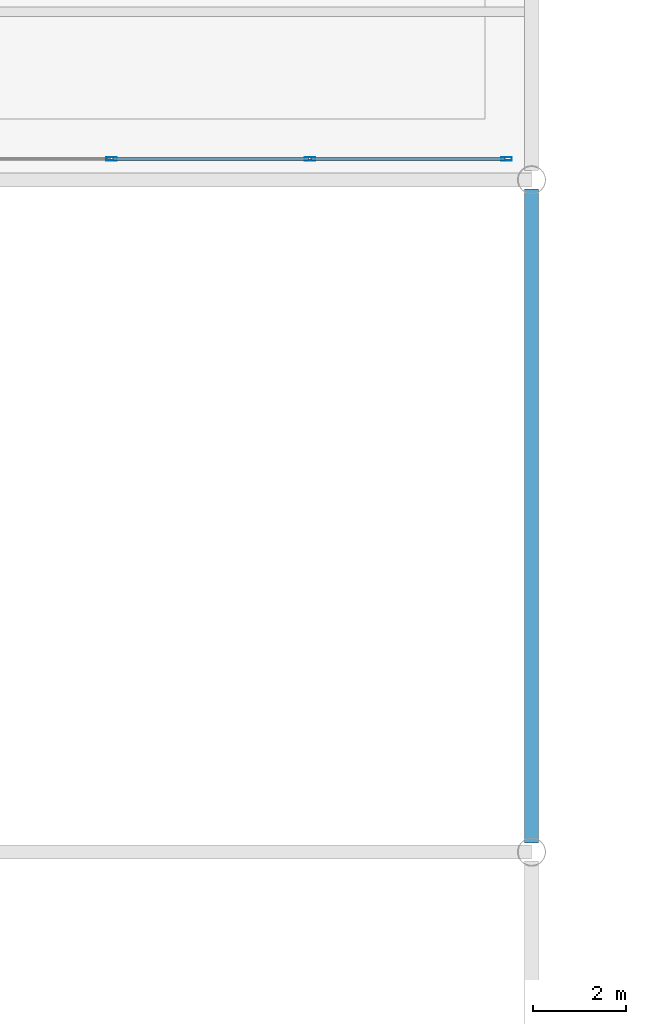
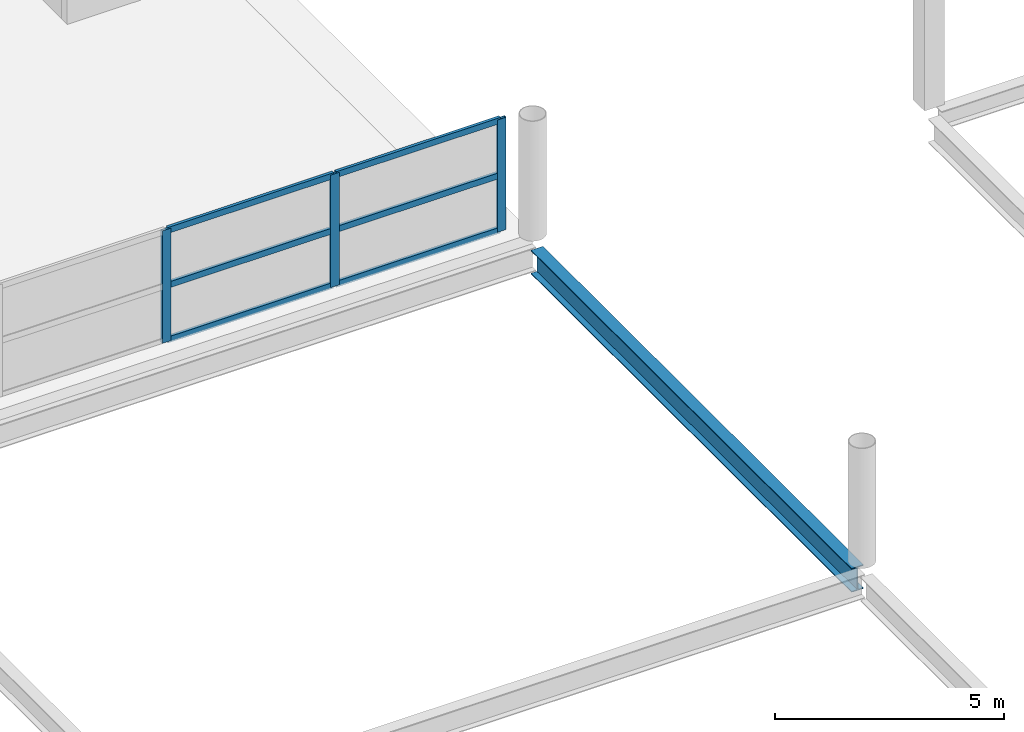
# One storey, part 68 of 134: 9 members, 1 beam, 1 element without a shape of its own.
"""IFC4 building model written with IfcOpenShell, lengths in metres."""

from ifc_helpers import new_model, si_unit, direction, frame, origin, origin_2d, place, context, subcontext, project, spatial, hollow_rectangle, i_section, extrude, material, layer, layer_set, material_profile, profile_set, type_object, element, aggregate, save


model = new_model("IFC4")

# Units and contexts
model_context = context("Model", 3, precision=1e-05, world=origin(), true_north=direction((0.0, 1.0)))
body_context = subcontext(model_context, "Body", "Model", "MODEL_VIEW")
ifc_project = project(units=[si_unit("LENGTHUNIT", "METRE"), si_unit("AREAUNIT", "SQUARE_METRE"), si_unit("VOLUMEUNIT", "CUBIC_METRE"), si_unit("PLANEANGLEUNIT", "RADIAN"), si_unit("MASSUNIT", "GRAM", prefix="KILO")], contexts=[model_context])

# Site, building, storey
site_placement = place(None, origin())
site = spatial("IfcSite", under=ifc_project, at=site_placement, CompositionType="ELEMENT")
building_placement = place(site_placement, origin())
building = spatial("IfcBuilding", under=site, at=building_placement, Name="Tamarisk Ironworks Central Station", CompositionType="ELEMENT")
storey_placement = place(building_placement, frame((0.0, 0.0, 12.60009765625)))
storey = spatial("IfcBuildingStorey", under=building, at=storey_placement, Name="L02", CompositionType="ELEMENT", Elevation=12.60009765625)

# Beam
ifc_material_1 = material(Name="Structural steel S355J2", Category="steel")
ifc_material_profile_1 = material_profile(ifc_material_1, i_section(OverallWidth=0.300048828125, OverallDepth=0.639892578125, WebThickness=0.013427734375, FlangeThickness=0.02587890625, at=origin_2d()), Name="HEA 650")
ifc_profile_set_1 = profile_set([ifc_material_profile_1], Name="Structural steel S355J2")
beam_type = type_object("IfcBeamType", Name="BM-G02", PredefinedType="BEAM", material=ifc_profile_set_1)
beam_placement = place(storey_placement, frame((108.0, 64.99609375, -0.60009765625), z_axis=(0.0, 1.0, 0.0), x_axis=(-1.0, 0.0, 0.0)))
element("IfcBeam", 1, at=beam_placement, inside=storey, type_object=beam_type, Name="L02 primary girder Y-0484", PredefinedType="BEAM", context=body_context, shape_type="SweptSolid", body=[
    extrude(i_section(OverallWidth=0.300048828125, OverallDepth=0.639892578125, WebThickness=0.013427734375, FlangeThickness=0.02587890625, at=origin_2d()), origin(), (0.0, 0.0, 1.0), 14.0078125),
])

# Curtain wall, members
ifc_material_2 = material(Name="Anodized aluminium alloy 6063-T6", Category="aluminium")
ifc_layer = layer(ifc_material_2, 0.179931640625)
ifc_layer_set = layer_set([ifc_layer], Name="Anodized aluminium alloy 6063-T6")
curtain_wall_type = type_object("IfcCurtainWallType", Name="CW-24", PredefinedType="USERDEFINED", material=ifc_layer_set)
curtain_wall_placement = place(storey_placement, origin())
curtain_wall = element("IfcCurtainWall", 2, at=curtain_wall_placement, inside=storey, type_object=curtain_wall_type, Name="Mezzanine south-east acoustic screen", ObjectType="GLAZED CURTAIN WALL", PredefinedType="USERDEFINED")
ifc_material_profile_2 = material_profile(ifc_material_2, hollow_rectangle(XDim=0.074951171875, YDim=0.219970703125, WallThickness=0.00390625, at=origin_2d()), Name="ALUM 220x75")
ifc_profile_set_2 = profile_set([ifc_material_profile_2], Name="Anodized aluminium alloy 6063-T6")
member_type_1 = type_object("IfcMemberType", Name="CWM-01", PredefinedType="MULLION", material=ifc_profile_set_2)
member_1_placement = place(storey_placement, frame((99.0, 79.64990234375, 0.0), z_axis=(0.0, 0.0, 1.0), x_axis=(0.0, 1.0, 0.0)))
member_1 = element("IfcMember", 3, at=member_1_placement, type_object=member_type_1, Name="CW24 mullion 3", PredefinedType="MULLION", context=body_context, shape_type="SweptSolid", body=[
    extrude(hollow_rectangle(XDim=0.074951171875, YDim=0.219970703125, WallThickness=0.00390625, at=origin_2d()), origin(), (0.0, 0.0, 1.0), 3.0),
])
member_2_placement = place(storey_placement, frame((103.25, 79.64990234375, 0.0), z_axis=(0.0, 0.0, 1.0), x_axis=(0.0, 1.0, 0.0)))
member_2 = element("IfcMember", 4, at=member_2_placement, type_object=member_type_1, Name="CW24 mullion 4", PredefinedType="MULLION", context=body_context, shape_type="SweptSolid", body=[
    extrude(hollow_rectangle(XDim=0.074951171875, YDim=0.219970703125, WallThickness=0.00390625, at=origin_2d()), origin(), (0.0, 0.0, 1.0), 3.0),
])
member_3_placement = place(storey_placement, frame((107.46240234375, 79.64990234375, 0.0), z_axis=(0.0, 0.0, 1.0), x_axis=(0.0, 1.0, 0.0)))
member_3 = element("IfcMember", 5, at=member_3_placement, type_object=member_type_1, Name="CW24 mullion 5", PredefinedType="MULLION", context=body_context, shape_type="SweptSolid", body=[
    extrude(hollow_rectangle(XDim=0.074951171875, YDim=0.219970703125, WallThickness=0.00390625, at=origin_2d()), origin(), (0.0, 0.0, 1.0), 3.0),
])
ifc_material_profile_3 = material_profile(ifc_material_2, hollow_rectangle(XDim=0.074951171875, YDim=0.159912109375, WallThickness=0.00390625, at=origin_2d()), Name="ALUM 160x75")
ifc_profile_set_3 = profile_set([ifc_material_profile_3], Name="Anodized aluminium alloy 6063-T6")
member_type_2 = type_object("IfcMemberType", Name="CWT-01", PredefinedType="USERDEFINED", material=ifc_profile_set_3)
member_4_placement = place(storey_placement, frame((99.033447265625, 79.64990234375, 0.037353515625), z_axis=(1.0, 0.0, 0.0), x_axis=(0.0, 1.0, 0.0)))
member_4 = element("IfcMember", 6, at=member_4_placement, type_object=member_type_2, Name="CW24 transom 3.1", ObjectType="TRANSOM", PredefinedType="USERDEFINED", context=body_context, shape_type="SweptSolid", body=[
    extrude(hollow_rectangle(XDim=0.074951171875, YDim=0.159912109375, WallThickness=0.00390625, at=origin_2d()), origin(), (0.0, 0.0, 1.0), 4.18310546875),
])
member_5_placement = place(storey_placement, frame((99.033447265625, 79.64990234375, 1.5), z_axis=(1.0, 0.0, 0.0), x_axis=(0.0, 1.0, 0.0)))
member_5 = element("IfcMember", 7, at=member_5_placement, type_object=member_type_2, Name="CW24 transom 3.2", ObjectType="TRANSOM", PredefinedType="USERDEFINED", context=body_context, shape_type="SweptSolid", body=[
    extrude(hollow_rectangle(XDim=0.074951171875, YDim=0.159912109375, WallThickness=0.00390625, at=origin_2d()), origin(), (0.0, 0.0, 1.0), 4.18310546875),
])
member_6_placement = place(storey_placement, frame((99.033447265625, 79.64990234375, 2.96240234375), z_axis=(1.0, 0.0, 0.0), x_axis=(0.0, 1.0, 0.0)))
member_6 = element("IfcMember", 8, at=member_6_placement, type_object=member_type_2, Name="CW24 transom 3.3", ObjectType="TRANSOM", PredefinedType="USERDEFINED", context=body_context, shape_type="SweptSolid", body=[
    extrude(hollow_rectangle(XDim=0.074951171875, YDim=0.159912109375, WallThickness=0.00390625, at=origin_2d()), origin(), (0.0, 0.0, 1.0), 4.18310546875),
])
member_7_placement = place(storey_placement, frame((103.283447265625, 79.64990234375, 0.037353515625), z_axis=(1.0, 0.0, 0.0), x_axis=(0.0, 1.0, 0.0)))
member_7 = element("IfcMember", 9, at=member_7_placement, type_object=member_type_2, Name="CW24 transom 4.1", ObjectType="TRANSOM", PredefinedType="USERDEFINED", context=body_context, shape_type="SweptSolid", body=[
    extrude(hollow_rectangle(XDim=0.074951171875, YDim=0.159912109375, WallThickness=0.00390625, at=origin_2d()), origin(), (0.0, 0.0, 1.0), 4.1455078125),
])
member_8_placement = place(storey_placement, frame((103.283447265625, 79.64990234375, 1.5), z_axis=(1.0, 0.0, 0.0), x_axis=(0.0, 1.0, 0.0)))
member_8 = element("IfcMember", 10, at=member_8_placement, type_object=member_type_2, Name="CW24 transom 4.2", ObjectType="TRANSOM", PredefinedType="USERDEFINED", context=body_context, shape_type="SweptSolid", body=[
    extrude(hollow_rectangle(XDim=0.074951171875, YDim=0.159912109375, WallThickness=0.00390625, at=origin_2d()), origin(), (0.0, 0.0, 1.0), 4.1455078125),
])
member_9_placement = place(storey_placement, frame((103.283447265625, 79.64990234375, 2.96240234375), z_axis=(1.0, 0.0, 0.0), x_axis=(0.0, 1.0, 0.0)))
member_9 = element("IfcMember", 11, at=member_9_placement, type_object=member_type_2, Name="CW24 transom 4.3", ObjectType="TRANSOM", PredefinedType="USERDEFINED", context=body_context, shape_type="SweptSolid", body=[
    extrude(hollow_rectangle(XDim=0.074951171875, YDim=0.159912109375, WallThickness=0.00390625, at=origin_2d()), origin(), (0.0, 0.0, 1.0), 4.1455078125),
])
aggregate(curtain_wall, [member_1, member_2, member_3, member_4, member_5, member_6, member_7, member_8, member_9])

save(model, "model.ifc")
